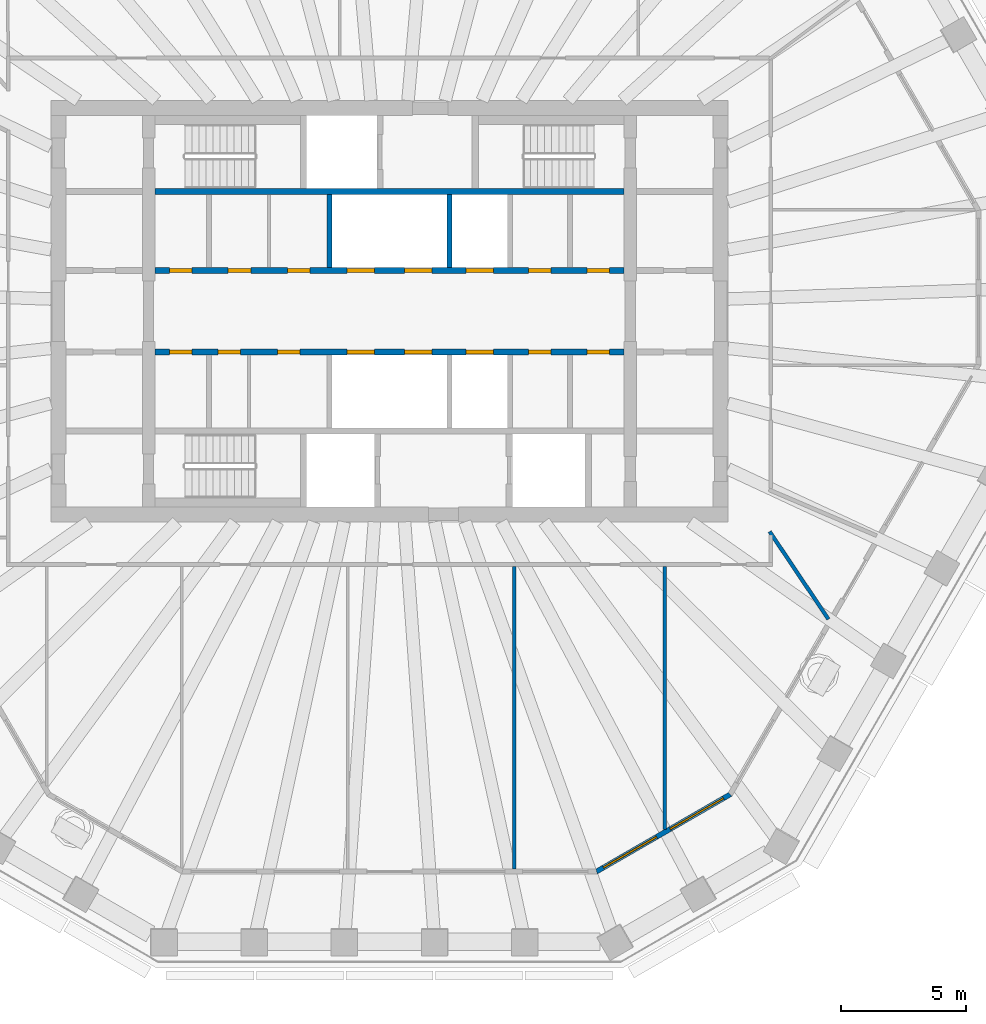
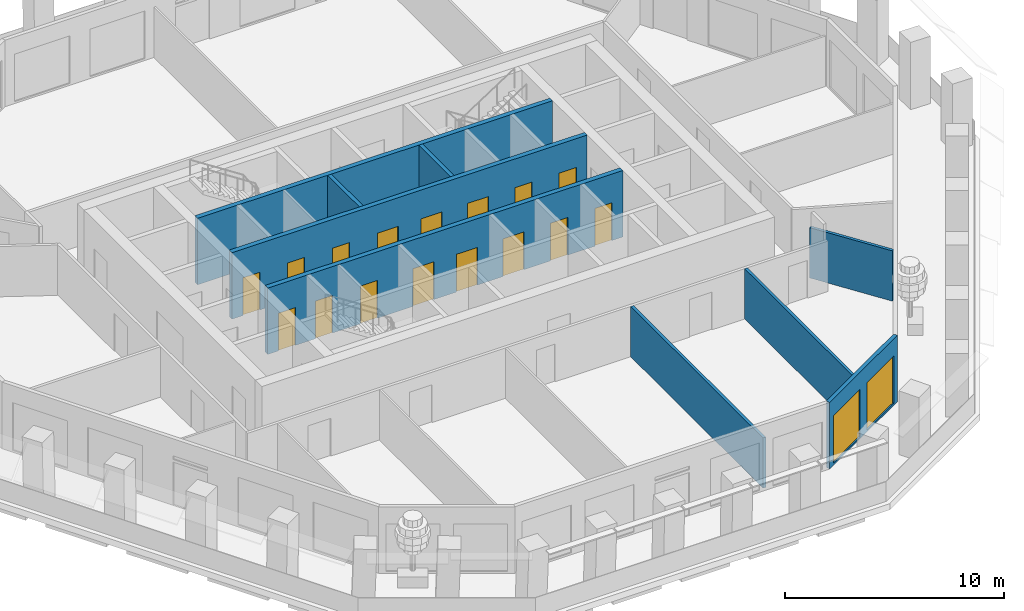
# One storey, part 5 of 12: 16 doors, 9 walls, 2 windows, 18 openings.
"""IFC4 building model written with IfcOpenShell, lengths in metres."""

from ifc_helpers import new_model, si_unit, direction, frame, frame_2d, origin, place, context, subcontext, project, spatial, polyline, rectangle, outline, extrude, material, layer, layer_set, type_object, element, fill, save


model = new_model("IFC4")

# Units and contexts
model_context = context("Model", 3, precision=1e-05, world=origin(), true_north=direction((0.0, 1.0)))
body_context = subcontext(model_context, "Body", "Model", "MODEL_VIEW")
ifc_project = project(units=[si_unit("LENGTHUNIT", "METRE"), si_unit("AREAUNIT", "SQUARE_METRE"), si_unit("VOLUMEUNIT", "CUBIC_METRE"), si_unit("PLANEANGLEUNIT", "RADIAN"), si_unit("MASSUNIT", "GRAM", prefix="KILO")], contexts=[model_context])

# Site, building, storey
site_placement = place(None, origin())
site = spatial("IfcSite", under=ifc_project, at=site_placement, CompositionType="ELEMENT")
building_placement = place(site_placement, origin())
building = spatial("IfcBuilding", under=site, at=building_placement, Name="Frailejon Research Tower", CompositionType="ELEMENT")
storey_placement = place(building_placement, frame((0.0, 0.0, 241.39990234375)))
storey = spatial("IfcBuildingStorey", under=building, at=storey_placement, Name="L52", CompositionType="ELEMENT", Elevation=241.39990234375)

# Walls
ifc_material_1 = material(Name="Gypsum board and masonry partition", Category="masonry")
ifc_layer_1 = layer(ifc_material_1, 0.14990234375)
ifc_layer_set_1 = layer_set([ifc_layer_1], Name="Corridor wall EI 60, gypsum on steel studs 150")
wall_type_1 = type_object("IfcWallType", Name="Corridor wall EI 60, gypsum on steel studs 150", PredefinedType="PARTITIONING", material=ifc_layer_set_1)
wall_1_placement = place(storey_placement, frame((15.158203125, -8.78759765625, 0.0), z_axis=(0.0, 0.0, 1.0), x_axis=(0.557200585309, -0.830377930662, 0.0)))
element("IfcWall", 1, at=wall_1_placement, inside=storey, type_object=wall_type_1, Name="T:IW:L52:009", PredefinedType="PARTITIONING", context=body_context, shape_type="SweptSolid", body=[
    extrude(rectangle(XDim=4.20947265625, YDim=0.14990234375, at=frame_2d((2.104736328125, 0.0))), origin(), (0.0, 0.0, 1.0), 2.800048828125),
])
ifc_material_2 = material(Name="Gypsum board and masonry partition", Category="masonry")
ifc_layer_2 = layer(ifc_material_2, 0.14990234375)
ifc_layer_set_2 = layer_set([ifc_layer_2], Name="Laboratory partition, blockwork 150")
wall_type_2 = type_object("IfcWallType", Name="Laboratory partition, blockwork 150", PredefinedType="PARTITIONING", material=ifc_layer_set_2)
wall_2_placement = place(storey_placement, frame((4.97119140625, -22.242919921875, 0.0), z_axis=(0.0, 0.0, 1.0), x_axis=(0.0, 1.0, 0.0)))
element("IfcWall", 2, at=wall_2_placement, inside=storey, type_object=wall_type_2, Name="T:IW:L52:012", PredefinedType="PARTITIONING", context=body_context, shape_type="SweptSolid", body=[
    extrude(rectangle(XDim=12.06787109375, YDim=0.14990234375, at=frame_2d((6.033935546875, 0.0))), origin(), (0.0, 0.0, 1.0), 2.800048828125),
])
wall_3_placement = place(storey_placement, frame((10.972900390625, -20.66015625, 0.0), z_axis=(0.0, 0.0, 1.0), x_axis=(0.0, 1.0, 0.0)))
element("IfcWall", 3, at=wall_3_placement, inside=storey, type_object=wall_type_2, Name="T:IW:L52:013", PredefinedType="PARTITIONING", context=body_context, shape_type="SweptSolid", body=[
    extrude(rectangle(XDim=10.485107421875, YDim=0.14990234375, at=frame_2d((5.24267578125, 0.0))), origin(), (0.0, 0.0, 1.0), 2.800048828125),
])
ifc_material_3 = material(Name="Concrete C60/75", Category="concrete")
ifc_layer_3 = layer(ifc_material_3, 0.199951171875)
ifc_layer_set_3 = layer_set([ifc_layer_3], Name="Shaft wall 200 C60/75")
wall_type_3 = type_object("IfcWallType", Name="Shaft wall 200 C60/75", PredefinedType="SOLIDWALL", material=ifc_layer_set_3)
for number, where, z_axis, x_axis, name in (
    (4, (-2.39990234375, 1.75, 0.0), (0.0, 0.0, 1.0), (0.0, 1.0, 0.0), "Shaft wall"),
    (5, (2.39990234375, 1.75, 0.0), (0.0, 0.0, 1.0), (0.0, 1.0, 0.0), "Shaft wall"),
):
    element("IfcWall", number, at=place(storey_placement, frame(where, z_axis=z_axis, x_axis=x_axis)), inside=storey, type_object=wall_type_3, Name=name, PredefinedType="SOLIDWALL", context=body_context, shape_type="SweptSolid", body=[
        extrude(rectangle(XDim=2.89990234375, YDim=0.199951171875, at=frame_2d((1.449951171875, 0.0))), origin(), (0.0, 0.0, 1.0), 3.7001953125),
    ])

# Wall, openings, doors
ifc_material_4 = material(Name="Concrete C60/75", Category="concrete")
ifc_layer_4 = layer(ifc_material_4, 0.25)
ifc_layer_set_4 = layer_set([ifc_layer_4], Name="Shaft wall 250 C60/75")
wall_type_4 = type_object("IfcWallType", Name="Shaft wall 250 C60/75", PredefinedType="SOLIDWALL", material=ifc_layer_set_4)
wall_4_placement = place(storey_placement, frame((-9.35009765625, 1.625, 0.0), z_axis=(0.0, 0.0, 1.0), x_axis=(1.0, 0.0, 0.0)))
wall_4 = element("IfcWall", 6, at=wall_4_placement, inside=storey, type_object=wall_type_4, Name="Shaft wall", PredefinedType="SOLIDWALL", context=body_context, shape_type="SweptSolid", body=[
    extrude(rectangle(XDim=18.7001953125, YDim=0.25, at=frame_2d((9.35009765625, 0.0))), origin(), (0.0, 0.0, 1.0), 3.7001953125),
])
opening_1_placement = place(wall_4_placement, frame((7.64990234375, 0.0, 0.0)))
opening_1 = element("IfcOpeningElement", 7, at=opening_1_placement, cuts=wall_4, Name="Opening LD", PredefinedType="OPENING", context=body_context, shape_type="SweptSolid", body=[
    extrude(rectangle(XDim=1.10009765625, YDim=2.10009765625, at=frame_2d((0.550048828125, 1.050048828125))), frame((0.0, 0.135009765625, 0.0), z_axis=(0.0, -1.0, 0.0), x_axis=(1.0, 0.0, 0.0)), (0.0, 0.0, 1.0), 0.27001953125),
])
opening_2_placement = place(wall_4_placement, frame((9.949951171875, 0.0, 0.0)))
opening_2 = element("IfcOpeningElement", 8, at=opening_2_placement, cuts=wall_4, Name="Opening LD", PredefinedType="OPENING", context=body_context, shape_type="SweptSolid", body=[
    extrude(rectangle(XDim=1.10009765625, YDim=2.10009765625, at=frame_2d((0.550048828125, 1.050048828125))), frame((0.0, 0.135009765625, 0.0), z_axis=(0.0, -1.0, 0.0), x_axis=(1.0, 0.0, 0.0)), (0.0, 0.0, 1.0), 0.27001953125),
])
opening_3_placement = place(wall_4_placement, frame((12.39990234375, 0.0, 0.0)))
opening_3 = element("IfcOpeningElement", 9, at=opening_3_placement, cuts=wall_4, Name="Opening LD", PredefinedType="OPENING", context=body_context, shape_type="SweptSolid", body=[
    extrude(rectangle(XDim=1.10009765625, YDim=2.10009765625, at=frame_2d((0.550048828125, 1.050048828125))), frame((0.0, 0.135009765625, 0.0), z_axis=(0.0, -1.0, 0.0), x_axis=(1.0, 0.0, 0.0)), (0.0, 0.0, 1.0), 0.27001953125),
])
opening_4_placement = place(wall_4_placement, frame((0.574951171875, 0.0, 0.0)))
opening_4 = element("IfcOpeningElement", 10, at=opening_4_placement, cuts=wall_4, Name="Opening D8", PredefinedType="OPENING", context=body_context, shape_type="SweptSolid", body=[
    extrude(rectangle(XDim=0.89990234375, YDim=2.10009765625, at=frame_2d((0.449951171875, 1.050048828125))), frame((0.0, 0.135009765625, 0.0), z_axis=(0.0, -1.0, 0.0), x_axis=(1.0, 0.0, 0.0)), (0.0, 0.0, 1.0), 0.27001953125),
])
opening_5_placement = place(wall_4_placement, frame((2.918701171875, 0.0, 0.0)))
opening_5 = element("IfcOpeningElement", 11, at=opening_5_placement, cuts=wall_4, Name="Opening D8", PredefinedType="OPENING", context=body_context, shape_type="SweptSolid", body=[
    extrude(rectangle(XDim=0.89990234375, YDim=2.10009765625, at=frame_2d((0.449951171875, 1.050048828125))), frame((0.0, 0.135009765625, 0.0), z_axis=(0.0, -1.0, 0.0), x_axis=(1.0, 0.0, 0.0)), (0.0, 0.0, 1.0), 0.27001953125),
])
opening_6_placement = place(wall_4_placement, frame((5.28125, 0.0, 0.0)))
opening_6 = element("IfcOpeningElement", 12, at=opening_6_placement, cuts=wall_4, Name="Opening D8", PredefinedType="OPENING", context=body_context, shape_type="SweptSolid", body=[
    extrude(rectangle(XDim=0.89990234375, YDim=2.10009765625, at=frame_2d((0.449951171875, 1.050048828125))), frame((0.0, 0.135009765625, 0.0), z_axis=(0.0, -1.0, 0.0), x_axis=(1.0, 0.0, 0.0)), (0.0, 0.0, 1.0), 0.27001953125),
])
opening_7_placement = place(wall_4_placement, frame((14.89990234375, 0.0, 0.0)))
opening_7 = element("IfcOpeningElement", 13, at=opening_7_placement, cuts=wall_4, Name="Opening D8", PredefinedType="OPENING", context=body_context, shape_type="SweptSolid", body=[
    extrude(rectangle(XDim=0.89990234375, YDim=2.10009765625, at=frame_2d((0.449951171875, 1.050048828125))), frame((0.0, 0.135009765625, 0.0), z_axis=(0.0, -1.0, 0.0), x_axis=(1.0, 0.0, 0.0)), (0.0, 0.0, 1.0), 0.27001953125),
])
opening_8_placement = place(wall_4_placement, frame((17.22509765625, 0.0, 0.0)))
opening_8 = element("IfcOpeningElement", 14, at=opening_8_placement, cuts=wall_4, Name="Opening D8", PredefinedType="OPENING", context=body_context, shape_type="SweptSolid", body=[
    extrude(rectangle(XDim=0.89990234375, YDim=2.10009765625, at=frame_2d((0.449951171875, 1.050048828125))), frame((0.0, 0.135009765625, 0.0), z_axis=(0.0, -1.0, 0.0), x_axis=(1.0, 0.0, 0.0)), (0.0, 0.0, 1.0), 0.27001953125),
])
ifc_material_5 = material(Name="Steel", Category="steel")
door_type_1 = type_object("IfcDoorType", Name="Core room door", OperationType="SINGLE_SWING_LEFT", PredefinedType="DOOR", material=ifc_material_5)
door_1_placement = place(opening_4_placement, origin())
door_1 = element("IfcDoor", 15, at=door_1_placement, inside=storey, type_object=door_type_1, Name="Room door", OperationType="SINGLE_SWING_LEFT", OverallHeight=2.10009765625, OverallWidth=0.89990234375, PredefinedType="DOOR", context=body_context, shape_type="SweptSolid", body=[
    extrude(rectangle(XDim=0.89990234375, YDim=2.10009765625, at=frame_2d((0.449951171875, 1.050048828125))), frame((0.0, 0.074951171875, 0.0), z_axis=(0.0, -1.0, 0.0), x_axis=(1.0, 0.0, 0.0)), (0.0, 0.0, 1.0), 0.14990234375),
])
fill(opening_4, door_1)
door_2_placement = place(opening_5_placement, origin())
door_2 = element("IfcDoor", 16, at=door_2_placement, inside=storey, type_object=door_type_1, Name="Room door", OperationType="SINGLE_SWING_RIGHT", OverallHeight=2.10009765625, OverallWidth=0.89990234375, PredefinedType="DOOR", context=body_context, shape_type="SweptSolid", body=[
    extrude(rectangle(XDim=0.89990234375, YDim=2.10009765625, at=frame_2d((0.449951171875, 1.050048828125))), frame((0.0, 0.074951171875, 0.0), z_axis=(0.0, -1.0, 0.0), x_axis=(1.0, 0.0, 0.0)), (0.0, 0.0, 1.0), 0.14990234375),
])
fill(opening_5, door_2)
door_3_placement = place(opening_6_placement, origin())
door_3 = element("IfcDoor", 17, at=door_3_placement, inside=storey, type_object=door_type_1, Name="Room door", OperationType="SINGLE_SWING_LEFT", OverallHeight=2.10009765625, OverallWidth=0.89990234375, PredefinedType="DOOR", context=body_context, shape_type="SweptSolid", body=[
    extrude(rectangle(XDim=0.89990234375, YDim=2.10009765625, at=frame_2d((0.449951171875, 1.050048828125))), frame((0.0, 0.074951171875, 0.0), z_axis=(0.0, -1.0, 0.0), x_axis=(1.0, 0.0, 0.0)), (0.0, 0.0, 1.0), 0.14990234375),
])
fill(opening_6, door_3)
door_4_placement = place(opening_7_placement, origin())
door_4 = element("IfcDoor", 18, at=door_4_placement, inside=storey, type_object=door_type_1, Name="Room door", OperationType="SINGLE_SWING_RIGHT", OverallHeight=2.10009765625, OverallWidth=0.89990234375, PredefinedType="DOOR", context=body_context, shape_type="SweptSolid", body=[
    extrude(rectangle(XDim=0.89990234375, YDim=2.10009765625, at=frame_2d((0.449951171875, 1.050048828125))), frame((0.0, 0.074951171875, 0.0), z_axis=(0.0, -1.0, 0.0), x_axis=(1.0, 0.0, 0.0)), (0.0, 0.0, 1.0), 0.14990234375),
])
fill(opening_7, door_4)
door_5_placement = place(opening_8_placement, origin())
door_5 = element("IfcDoor", 19, at=door_5_placement, inside=storey, type_object=door_type_1, Name="Room door", OperationType="SINGLE_SWING_LEFT", OverallHeight=2.10009765625, OverallWidth=0.89990234375, PredefinedType="DOOR", context=body_context, shape_type="SweptSolid", body=[
    extrude(rectangle(XDim=0.89990234375, YDim=2.10009765625, at=frame_2d((0.449951171875, 1.050048828125))), frame((0.0, 0.074951171875, 0.0), z_axis=(0.0, -1.0, 0.0), x_axis=(1.0, 0.0, 0.0)), (0.0, 0.0, 1.0), 0.14990234375),
])
fill(opening_8, door_5)
ifc_material_6 = material(Name="Steel", Category="steel")
door_type_2 = type_object("IfcDoorType", Name="Lift landing door", OperationType="DOUBLE_DOOR_SLIDING", PredefinedType="DOOR", material=ifc_material_6)
door_6_placement = place(opening_1_placement, origin())
door_6 = element("IfcDoor", 20, at=door_6_placement, inside=storey, type_object=door_type_2, Name="Lift landing door", OperationType="DOUBLE_DOOR_SLIDING", OverallHeight=2.10009765625, OverallWidth=1.10009765625, PredefinedType="DOOR", context=body_context, shape_type="SweptSolid", body=[
    extrude(rectangle(XDim=1.10009765625, YDim=2.10009765625, at=frame_2d((0.550048828125, 1.050048828125))), frame((0.0, 0.074951171875, 0.0), z_axis=(0.0, -1.0, 0.0), x_axis=(1.0, 0.0, 0.0)), (0.0, 0.0, 1.0), 0.14990234375),
])
fill(opening_1, door_6)
door_7_placement = place(opening_2_placement, origin())
door_7 = element("IfcDoor", 21, at=door_7_placement, inside=storey, type_object=door_type_2, Name="Lift landing door", OperationType="DOUBLE_DOOR_SLIDING", OverallHeight=2.10009765625, OverallWidth=1.10009765625, PredefinedType="DOOR", context=body_context, shape_type="SweptSolid", body=[
    extrude(rectangle(XDim=1.10009765625, YDim=2.10009765625, at=frame_2d((0.550048828125, 1.050048828125))), frame((0.0, 0.074951171875, 0.0), z_axis=(0.0, -1.0, 0.0), x_axis=(1.0, 0.0, 0.0)), (0.0, 0.0, 1.0), 0.14990234375),
])
fill(opening_2, door_7)
door_8_placement = place(opening_3_placement, origin())
door_8 = element("IfcDoor", 22, at=door_8_placement, inside=storey, type_object=door_type_2, Name="Lift landing door", OperationType="DOUBLE_DOOR_SLIDING", OverallHeight=2.10009765625, OverallWidth=1.10009765625, PredefinedType="DOOR", context=body_context, shape_type="SweptSolid", body=[
    extrude(rectangle(XDim=1.10009765625, YDim=2.10009765625, at=frame_2d((0.550048828125, 1.050048828125))), frame((0.0, 0.074951171875, 0.0), z_axis=(0.0, -1.0, 0.0), x_axis=(1.0, 0.0, 0.0)), (0.0, 0.0, 1.0), 0.14990234375),
])
fill(opening_3, door_8)

# Wall
wall_5_placement = place(storey_placement, frame((-9.35009765625, 4.77490234375, 0.0), z_axis=(0.0, 0.0, 1.0), x_axis=(1.0, 0.0, 0.0)))
element("IfcWall", 23, at=wall_5_placement, inside=storey, type_object=wall_type_4, Name="Shaft wall", PredefinedType="SOLIDWALL", context=body_context, shape_type="SweptSolid", body=[
    extrude(rectangle(XDim=18.7001953125, YDim=0.25, at=frame_2d((9.35009765625, 0.0))), origin(), (0.0, 0.0, 1.0), 3.7001953125),
])

# Wall, openings, doors
wall_6_placement = place(storey_placement, frame((-9.35009765625, -1.625, 0.0), z_axis=(0.0, 0.0, 1.0), x_axis=(1.0, 0.0, 0.0)))
wall_6 = element("IfcWall", 24, at=wall_6_placement, inside=storey, type_object=wall_type_4, Name="Shaft wall", PredefinedType="SOLIDWALL", context=body_context, shape_type="SweptSolid", body=[
    extrude(rectangle(XDim=18.7001953125, YDim=0.25, at=frame_2d((9.35009765625, 0.0))), origin(), (0.0, 0.0, 1.0), 3.7001953125),
])
opening_9_placement = place(wall_6_placement, frame((7.64990234375, 0.0, 0.0)))
opening_9 = element("IfcOpeningElement", 25, at=opening_9_placement, cuts=wall_6, Name="Opening LD", PredefinedType="OPENING", context=body_context, shape_type="SweptSolid", body=[
    extrude(rectangle(XDim=1.10009765625, YDim=2.10009765625, at=frame_2d((0.550048828125, 1.050048828125))), frame((0.0, 0.135009765625, 0.0), z_axis=(0.0, -1.0, 0.0), x_axis=(1.0, 0.0, 0.0)), (0.0, 0.0, 1.0), 0.27001953125),
])
opening_10_placement = place(wall_6_placement, frame((9.949951171875, 0.0, 0.0)))
opening_10 = element("IfcOpeningElement", 26, at=opening_10_placement, cuts=wall_6, Name="Opening LD", PredefinedType="OPENING", context=body_context, shape_type="SweptSolid", body=[
    extrude(rectangle(XDim=1.10009765625, YDim=2.10009765625, at=frame_2d((0.550048828125, 1.050048828125))), frame((0.0, 0.135009765625, 0.0), z_axis=(0.0, -1.0, 0.0), x_axis=(1.0, 0.0, 0.0)), (0.0, 0.0, 1.0), 0.27001953125),
])
opening_11_placement = place(wall_6_placement, frame((12.39990234375, 0.0, 0.0)))
opening_11 = element("IfcOpeningElement", 27, at=opening_11_placement, cuts=wall_6, Name="Opening LD", PredefinedType="OPENING", context=body_context, shape_type="SweptSolid", body=[
    extrude(rectangle(XDim=1.10009765625, YDim=2.10009765625, at=frame_2d((0.550048828125, 1.050048828125))), frame((0.0, 0.135009765625, 0.0), z_axis=(0.0, -1.0, 0.0), x_axis=(1.0, 0.0, 0.0)), (0.0, 0.0, 1.0), 0.27001953125),
])
opening_12_placement = place(wall_6_placement, frame((0.574951171875, 0.0, 0.0)))
opening_12 = element("IfcOpeningElement", 28, at=opening_12_placement, cuts=wall_6, Name="Opening D8", PredefinedType="OPENING", context=body_context, shape_type="SweptSolid", body=[
    extrude(rectangle(XDim=0.89990234375, YDim=2.10009765625, at=frame_2d((0.449951171875, 1.050048828125))), frame((0.0, 0.135009765625, 0.0), z_axis=(0.0, -1.0, 0.0), x_axis=(1.0, 0.0, 0.0)), (0.0, 0.0, 1.0), 0.27001953125),
])
opening_13_placement = place(wall_6_placement, frame((2.518798828125, 0.0, 0.0)))
opening_13 = element("IfcOpeningElement", 29, at=opening_13_placement, cuts=wall_6, Name="Opening D8", PredefinedType="OPENING", context=body_context, shape_type="SweptSolid", body=[
    extrude(rectangle(XDim=0.89990234375, YDim=2.10009765625, at=frame_2d((0.449951171875, 1.050048828125))), frame((0.0, 0.135009765625, 0.0), z_axis=(0.0, -1.0, 0.0), x_axis=(1.0, 0.0, 0.0)), (0.0, 0.0, 1.0), 0.27001953125),
])
opening_14_placement = place(wall_6_placement, frame((4.881103515625, 0.0, 0.0)))
opening_14 = element("IfcOpeningElement", 30, at=opening_14_placement, cuts=wall_6, Name="Opening D8", PredefinedType="OPENING", context=body_context, shape_type="SweptSolid", body=[
    extrude(rectangle(XDim=0.89990234375, YDim=2.10009765625, at=frame_2d((0.449951171875, 1.050048828125))), frame((0.0, 0.135009765625, 0.0), z_axis=(0.0, -1.0, 0.0), x_axis=(1.0, 0.0, 0.0)), (0.0, 0.0, 1.0), 0.27001953125),
])
opening_15_placement = place(wall_6_placement, frame((14.89990234375, 0.0, 0.0)))
opening_15 = element("IfcOpeningElement", 31, at=opening_15_placement, cuts=wall_6, Name="Opening D8", PredefinedType="OPENING", context=body_context, shape_type="SweptSolid", body=[
    extrude(rectangle(XDim=0.89990234375, YDim=2.10009765625, at=frame_2d((0.449951171875, 1.050048828125))), frame((0.0, 0.135009765625, 0.0), z_axis=(0.0, -1.0, 0.0), x_axis=(1.0, 0.0, 0.0)), (0.0, 0.0, 1.0), 0.27001953125),
])
opening_16_placement = place(wall_6_placement, frame((17.22509765625, 0.0, 0.0)))
opening_16 = element("IfcOpeningElement", 32, at=opening_16_placement, cuts=wall_6, Name="Opening D8", PredefinedType="OPENING", context=body_context, shape_type="SweptSolid", body=[
    extrude(rectangle(XDim=0.89990234375, YDim=2.10009765625, at=frame_2d((0.449951171875, 1.050048828125))), frame((0.0, 0.135009765625, 0.0), z_axis=(0.0, -1.0, 0.0), x_axis=(1.0, 0.0, 0.0)), (0.0, 0.0, 1.0), 0.27001953125),
])
door_9_placement = place(opening_12_placement, origin())
door_9 = element("IfcDoor", 33, at=door_9_placement, inside=storey, type_object=door_type_1, Name="Room door", OperationType="SINGLE_SWING_RIGHT", OverallHeight=2.10009765625, OverallWidth=0.89990234375, PredefinedType="DOOR", context=body_context, shape_type="SweptSolid", body=[
    extrude(rectangle(XDim=0.89990234375, YDim=2.10009765625, at=frame_2d((0.449951171875, 1.050048828125))), frame((0.0, 0.074951171875, 0.0), z_axis=(0.0, -1.0, 0.0), x_axis=(1.0, 0.0, 0.0)), (0.0, 0.0, 1.0), 0.14990234375),
])
fill(opening_12, door_9)
door_10_placement = place(opening_13_placement, origin())
door_10 = element("IfcDoor", 34, at=door_10_placement, inside=storey, type_object=door_type_1, Name="Room door", OperationType="SINGLE_SWING_LEFT", OverallHeight=2.10009765625, OverallWidth=0.89990234375, PredefinedType="DOOR", context=body_context, shape_type="SweptSolid", body=[
    extrude(rectangle(XDim=0.89990234375, YDim=2.10009765625, at=frame_2d((0.449951171875, 1.050048828125))), frame((0.0, 0.074951171875, 0.0), z_axis=(0.0, -1.0, 0.0), x_axis=(1.0, 0.0, 0.0)), (0.0, 0.0, 1.0), 0.14990234375),
])
fill(opening_13, door_10)
door_11_placement = place(opening_14_placement, origin())
door_11 = element("IfcDoor", 35, at=door_11_placement, inside=storey, type_object=door_type_1, Name="Room door", OperationType="SINGLE_SWING_RIGHT", OverallHeight=2.10009765625, OverallWidth=0.89990234375, PredefinedType="DOOR", context=body_context, shape_type="SweptSolid", body=[
    extrude(rectangle(XDim=0.89990234375, YDim=2.10009765625, at=frame_2d((0.449951171875, 1.050048828125))), frame((0.0, 0.074951171875, 0.0), z_axis=(0.0, -1.0, 0.0), x_axis=(1.0, 0.0, 0.0)), (0.0, 0.0, 1.0), 0.14990234375),
])
fill(opening_14, door_11)
door_12_placement = place(opening_15_placement, origin())
door_12 = element("IfcDoor", 36, at=door_12_placement, inside=storey, type_object=door_type_1, Name="Room door", OperationType="SINGLE_SWING_LEFT", OverallHeight=2.10009765625, OverallWidth=0.89990234375, PredefinedType="DOOR", context=body_context, shape_type="SweptSolid", body=[
    extrude(rectangle(XDim=0.89990234375, YDim=2.10009765625, at=frame_2d((0.449951171875, 1.050048828125))), frame((0.0, 0.074951171875, 0.0), z_axis=(0.0, -1.0, 0.0), x_axis=(1.0, 0.0, 0.0)), (0.0, 0.0, 1.0), 0.14990234375),
])
fill(opening_15, door_12)
door_13_placement = place(opening_16_placement, origin())
door_13 = element("IfcDoor", 37, at=door_13_placement, inside=storey, type_object=door_type_1, Name="Room door", OperationType="SINGLE_SWING_RIGHT", OverallHeight=2.10009765625, OverallWidth=0.89990234375, PredefinedType="DOOR", context=body_context, shape_type="SweptSolid", body=[
    extrude(rectangle(XDim=0.89990234375, YDim=2.10009765625, at=frame_2d((0.449951171875, 1.050048828125))), frame((0.0, 0.074951171875, 0.0), z_axis=(0.0, -1.0, 0.0), x_axis=(1.0, 0.0, 0.0)), (0.0, 0.0, 1.0), 0.14990234375),
])
fill(opening_16, door_13)
door_14_placement = place(opening_9_placement, origin())
door_14 = element("IfcDoor", 38, at=door_14_placement, inside=storey, type_object=door_type_2, Name="Lift landing door", OperationType="DOUBLE_DOOR_SLIDING", OverallHeight=2.10009765625, OverallWidth=1.10009765625, PredefinedType="DOOR", context=body_context, shape_type="SweptSolid", body=[
    extrude(rectangle(XDim=1.10009765625, YDim=2.10009765625, at=frame_2d((0.550048828125, 1.050048828125))), frame((0.0, 0.074951171875, 0.0), z_axis=(0.0, -1.0, 0.0), x_axis=(1.0, 0.0, 0.0)), (0.0, 0.0, 1.0), 0.14990234375),
])
fill(opening_9, door_14)
door_15_placement = place(opening_10_placement, origin())
door_15 = element("IfcDoor", 39, at=door_15_placement, inside=storey, type_object=door_type_2, Name="Lift landing door", OperationType="DOUBLE_DOOR_SLIDING", OverallHeight=2.10009765625, OverallWidth=1.10009765625, PredefinedType="DOOR", context=body_context, shape_type="SweptSolid", body=[
    extrude(rectangle(XDim=1.10009765625, YDim=2.10009765625, at=frame_2d((0.550048828125, 1.050048828125))), frame((0.0, 0.074951171875, 0.0), z_axis=(0.0, -1.0, 0.0), x_axis=(1.0, 0.0, 0.0)), (0.0, 0.0, 1.0), 0.14990234375),
])
fill(opening_10, door_15)
door_16_placement = place(opening_11_placement, origin())
door_16 = element("IfcDoor", 40, at=door_16_placement, inside=storey, type_object=door_type_2, Name="Lift landing door", OperationType="DOUBLE_DOOR_SLIDING", OverallHeight=2.10009765625, OverallWidth=1.10009765625, PredefinedType="DOOR", context=body_context, shape_type="SweptSolid", body=[
    extrude(rectangle(XDim=1.10009765625, YDim=2.10009765625, at=frame_2d((0.550048828125, 1.050048828125))), frame((0.0, 0.074951171875, 0.0), z_axis=(0.0, -1.0, 0.0), x_axis=(1.0, 0.0, 0.0)), (0.0, 0.0, 1.0), 0.14990234375),
])
fill(opening_11, door_16)

# Wall, openings, windows
ifc_material_7 = material(Name="Concrete C40/50 precast window wall panel", Category="concrete")
ifc_layer_5 = layer(ifc_material_7, 0.199951171875)
ifc_layer_set_5 = layer_set([ifc_layer_5], Name="Window wall 200")
wall_type_5 = type_object("IfcWallType", Name="Window wall 200", PredefinedType="SOLIDWALL", material=ifc_layer_set_5)
wall_7_placement = place(storey_placement, frame((8.258544921875, -22.3427734375, 0.0), z_axis=(0.0, 0.0, 1.0), x_axis=(0.866029647142, 0.499992650217, 0.0)))
wall_7 = element("IfcWall", 41, at=wall_7_placement, inside=storey, type_object=wall_type_5, Name="Exterior wall L52", PredefinedType="SOLIDWALL", context=body_context, shape_type="SweptSolid", body=[
    extrude(outline(polyline([(-0.02685546875, -0.10009765625), (1.007568359375, -0.10009765625), (2.0419921875, -0.10009765625), (3.076416015625, -0.10009765625), (4.11083984375, -0.10009765625), (5.145263671875, -0.10009765625), (6.1796875, -0.10009765625), (6.1259765625, 0.10009765625), (5.109375, 0.10009765625), (4.093017578125, 0.10009765625), (3.076416015625, 0.10009765625), (2.059814453125, 0.10009765625), (1.04345703125, 0.10009765625), (0.02685546875, 0.10009765625), (-0.02685546875, -0.10009765625)])), origin(), (0.0, 0.0, 1.0), 3.7001953125),
])
opening_17_placement = place(wall_7_placement, frame((0.313232421875, 0.0, 0.10009765625)))
opening_17 = element("IfcOpeningElement", 42, at=opening_17_placement, cuts=wall_7, Name="Opening W17", PredefinedType="OPENING", context=body_context, shape_type="SweptSolid", body=[
    extrude(rectangle(XDim=2.449951171875, YDim=2.64990234375, at=frame_2d((1.22509765625, 1.324951171875))), frame((0.0, 0.10986328125, 0.0), z_axis=(0.0, -1.0, 0.0), x_axis=(1.0, 0.0, 0.0)), (0.0, 0.0, 1.0), 0.219970703125),
])
opening_18_placement = place(wall_7_placement, frame((3.3896484375, 0.0, 0.10009765625)))
opening_18 = element("IfcOpeningElement", 43, at=opening_18_placement, cuts=wall_7, Name="Opening W17", PredefinedType="OPENING", context=body_context, shape_type="SweptSolid", body=[
    extrude(rectangle(XDim=2.449951171875, YDim=2.64990234375, at=frame_2d((1.22509765625, 1.324951171875))), frame((0.0, 0.10986328125, 0.0), z_axis=(0.0, -1.0, 0.0), x_axis=(1.0, 0.0, 0.0)), (0.0, 0.0, 1.0), 0.219970703125),
])
ifc_material_8 = material(Name="Aluminium framed double glazing", Category="aluminium")
window_type = type_object("IfcWindowType", Name="Window 2450x2650", PartitioningType="SINGLE_PANEL", PredefinedType="WINDOW", material=ifc_material_8)
window_1_placement = place(opening_17_placement, origin())
window_1 = element("IfcWindow", 44, at=window_1_placement, inside=storey, type_object=window_type, Name="Window L52", OverallHeight=2.64990234375, OverallWidth=2.449951171875, PartitioningType="SINGLE_PANEL", PredefinedType="WINDOW", context=body_context, shape_type="SweptSolid", body=[
    extrude(rectangle(XDim=2.449951171875, YDim=2.64990234375, at=frame_2d((1.22509765625, 1.324951171875))), frame((0.0, 0.030029296875, 0.0), z_axis=(0.0, -1.0, 0.0), x_axis=(1.0, 0.0, 0.0)), (0.0, 0.0, 1.0), 0.06005859375),
])
fill(opening_17, window_1)
window_2_placement = place(opening_18_placement, origin())
window_2 = element("IfcWindow", 45, at=window_2_placement, inside=storey, type_object=window_type, Name="Window L52", OverallHeight=2.64990234375, OverallWidth=2.449951171875, PartitioningType="SINGLE_PANEL", PredefinedType="WINDOW", context=body_context, shape_type="SweptSolid", body=[
    extrude(rectangle(XDim=2.449951171875, YDim=2.64990234375, at=frame_2d((1.22509765625, 1.324951171875))), frame((0.0, 0.030029296875, 0.0), z_axis=(0.0, -1.0, 0.0), x_axis=(1.0, 0.0, 0.0)), (0.0, 0.0, 1.0), 0.06005859375),
])
fill(opening_18, window_2)

save(model, "model.ifc")
